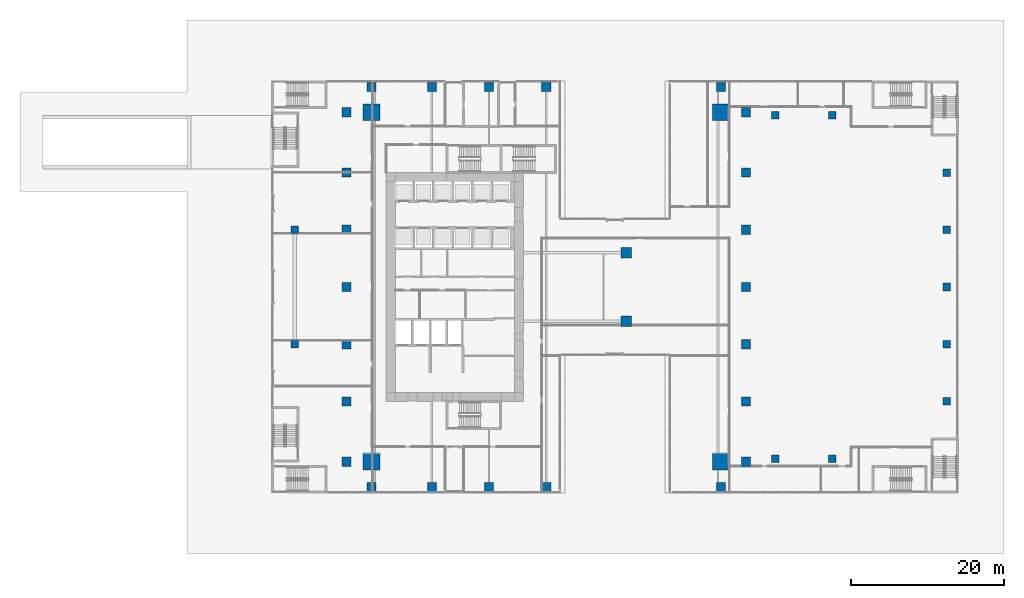
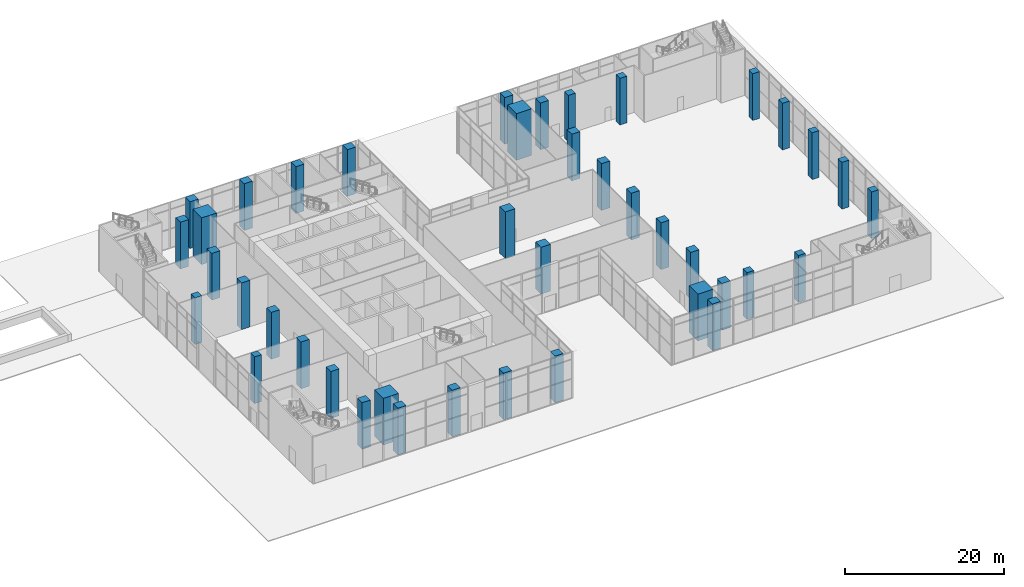
# One storey, part 1 of 52: 41 columns.
"""IFC4 building model written with IfcOpenShell, lengths in metres."""

from ifc_helpers import new_model, si_unit, direction, frame, origin, origin_2d, place, context, subcontext, project, spatial, rectangle, extrude, source, transform, mapped, material, material_profile, profile_set, type_object, element, save


model = new_model("IFC4")

# Units and contexts
model_context = context("Model", 3, precision=1e-05, world=origin(), true_north=direction((0.0, 1.0)))
body_context = subcontext(model_context, "Body", "Model", "MODEL_VIEW")
ifc_project = project(units=[si_unit("LENGTHUNIT", "METRE"), si_unit("AREAUNIT", "SQUARE_METRE"), si_unit("VOLUMEUNIT", "CUBIC_METRE"), si_unit("PLANEANGLEUNIT", "RADIAN"), si_unit("MASSUNIT", "GRAM", prefix="KILO")], contexts=[model_context])

# Site, building, storey
site_placement = place(None, origin())
site = spatial("IfcSite", under=ifc_project, at=site_placement, CompositionType="ELEMENT")
building_placement = place(site_placement, origin())
building = spatial("IfcBuilding", under=site, at=building_placement, Name="Khomas Fold Tower", CompositionType="ELEMENT")
storey_placement = place(building_placement, origin())
storey = spatial("IfcBuildingStorey", under=building, at=storey_placement, Name="L00", CompositionType="ELEMENT", Elevation=0.0)

# Columns
ifc_material_1 = material(Name="Concrete C70/85", Category="concrete")
ifc_material_profile_1 = material_profile(ifc_material_1, rectangle(XDim=2.199951171875, YDim=2.199951171875, at=origin_2d()), Name="RC 2200x2200")
ifc_profile_set_1 = profile_set([ifc_material_profile_1], Name="Concrete C70/85")
column_type_1 = type_object("IfcColumnType", Name="RC 2200x2200 column", PredefinedType="COLUMN", material=ifc_profile_set_1)
shared_shape_1 = source(origin(), body_context, "Body", "SweptSolid", [
    extrude(rectangle(XDim=2.199951171875, YDim=2.199951171875, at=origin_2d()), origin(), (0.0, 0.0, 1.0), 7.199951171875),
])
for number, where, z_axis, x_axis, name in (
    (1, (49.89990234375, 49.89990234375, 0.0), (0.0, 0.0, 1.0), (1.0, 0.0, 0.0), "CM-NE"),
    (2, (4.10009765625, 49.89990234375, 0.0), (0.0, 0.0, 1.0), (1.0, 0.0, 0.0), "CM-NW"),
    (3, (49.89990234375, 4.10009765625, 0.0), (0.0, 0.0, 1.0), (1.0, 0.0, 0.0), "CM-SE"),
    (4, (4.10009765625, 4.10009765625, 0.0), (0.0, 0.0, 1.0), (1.0, 0.0, 0.0), "CM-SW"),
):
    element("IfcColumn", number, at=place(storey_placement, frame(where, z_axis=z_axis, x_axis=x_axis)), inside=storey, type_object=column_type_1, Name=name, PredefinedType="COLUMN", context=body_context, shape_type="MappedRepresentation", body=[
        mapped(shared_shape_1, transform((0.0, 0.0, 0.0))),
    ])
ifc_material_2 = material(Name="Concrete C60/75", Category="concrete")
ifc_material_profile_2 = material_profile(ifc_material_2, rectangle(XDim=1.199951171875, YDim=1.199951171875, at=origin_2d()), Name="RC 1200x1200")
ifc_profile_set_2 = profile_set([ifc_material_profile_2], Name="Concrete C60/75")
column_type_2 = type_object("IfcColumnType", Name="RC 1200x1200 column", PredefinedType="COLUMN", material=ifc_profile_set_2)
shared_shape_2 = source(origin(), body_context, "Body", "SweptSolid", [
    extrude(rectangle(XDim=1.199951171875, YDim=1.199951171875, at=origin_2d()), origin(), (0.0, 0.0, 1.0), 7.199951171875),
])
for number, where, z_axis, x_axis, name in (
    (5, (4.10009765625, 0.800048828125, 0.0), (0.0, 0.0, 1.0), (1.0, 0.0, 0.0), "C-2-SF1"),
    (6, (12.0, 0.800048828125, 0.0), (0.0, 0.0, 1.0), (1.0, 0.0, 0.0), "C-6-SF1"),
    (7, (19.5, 0.800048828125, 0.0), (0.0, 0.0, 1.0), (1.0, 0.0, 0.0), "C-8-SF1"),
    (8, (27.0, 0.800048828125, 0.0), (0.0, 0.0, 1.0), (1.0, 0.0, 0.0), "C-9-SF1"),
    (9, (49.89990234375, 0.800048828125, 0.0), (0.0, 0.0, 1.0), (1.0, 0.0, 0.0), "C-17-SF1"),
    (10, (53.199951171875, 4.10009765625, 0.0), (0.0, 0.0, 1.0), (1.0, 0.0, 0.0), "C-E1-A"),
    (11, (53.199951171875, 12.0, 0.0), (0.0, 0.0, 1.0), (1.0, 0.0, 0.0), "C-E1-F"),
    (12, (53.199951171875, 19.5, 0.0), (0.0, 0.0, 1.0), (1.0, 0.0, 0.0), "C-E1-J"),
    (13, (53.199951171875, 27.0, 0.0), (0.0, 0.0, 1.0), (1.0, 0.0, 0.0), "C-E1-L"),
    (14, (53.199951171875, 34.5, 0.0), (0.0, 0.0, 1.0), (1.0, 0.0, 0.0), "C-E1-N"),
    (15, (53.199951171875, 42.0, 0.0), (0.0, 0.0, 1.0), (1.0, 0.0, 0.0), "C-E1-R"),
    (16, (53.199951171875, 49.89990234375, 0.0), (0.0, 0.0, 1.0), (1.0, 0.0, 0.0), "C-E1-W"),
    (17, (4.10009765625, 53.199951171875, 0.0), (0.0, 0.0, 1.0), (1.0, 0.0, 0.0), "C-2-NF1"),
    (18, (12.0, 53.199951171875, 0.0), (0.0, 0.0, 1.0), (1.0, 0.0, 0.0), "C-6-NF1"),
    (19, (19.5, 53.199951171875, 0.0), (0.0, 0.0, 1.0), (1.0, 0.0, 0.0), "C-8-NF1"),
    (20, (27.0, 53.199951171875, 0.0), (0.0, 0.0, 1.0), (1.0, 0.0, 0.0), "C-9-NF1"),
    (21, (49.89990234375, 53.199951171875, 0.0), (0.0, 0.0, 1.0), (1.0, 0.0, 0.0), "C-17-NF1"),
    (22, (0.800048828125, 4.10009765625, 0.0), (0.0, 0.0, 1.0), (1.0, 0.0, 0.0), "C-W1-A"),
    (23, (0.800048828125, 12.0, 0.0), (0.0, 0.0, 1.0), (1.0, 0.0, 0.0), "C-W1-F"),
    (24, (0.800048828125, 19.5, 0.0), (0.0, 0.0, 1.0), (1.0, 0.0, 0.0), "C-W1-J"),
    (25, (0.800048828125, 27.0, 0.0), (0.0, 0.0, 1.0), (1.0, 0.0, 0.0), "C-W1-L"),
    (26, (0.800048828125, 34.5, 0.0), (0.0, 0.0, 1.0), (1.0, 0.0, 0.0), "C-W1-N"),
    (27, (0.800048828125, 42.0, 0.0), (0.0, 0.0, 1.0), (1.0, 0.0, 0.0), "C-W1-R"),
    (28, (0.800048828125, 49.89990234375, 0.0), (0.0, 0.0, 1.0), (1.0, 0.0, 0.0), "C-W1-W"),
):
    element("IfcColumn", number, at=place(storey_placement, frame(where, z_axis=z_axis, x_axis=x_axis)), inside=storey, type_object=column_type_2, Name=name, PredefinedType="COLUMN", context=body_context, shape_type="MappedRepresentation", body=[
        mapped(shared_shape_2, transform((0.0, 0.0, 0.0))),
    ])
ifc_material_3 = material(Name="Concrete C60/75", Category="concrete")
ifc_material_profile_3 = material_profile(ifc_material_3, rectangle(XDim=1.39990234375, YDim=1.39990234375, at=origin_2d()), Name="RC 1400x1400")
ifc_profile_set_3 = profile_set([ifc_material_profile_3], Name="Concrete C60/75")
column_type_3 = type_object("IfcColumnType", Name="RC 1400x1400 column", PredefinedType="COLUMN", material=ifc_profile_set_3)
shared_shape_3 = source(origin(), body_context, "Body", "SweptSolid", [
    extrude(rectangle(XDim=1.39990234375, YDim=1.39990234375, at=origin_2d()), origin(), (0.0, 0.0, 1.0), 7.199951171875),
])
for number, where, z_axis, x_axis, name in (
    (29, (37.5, 22.5, 0.0), (0.0, 0.0, 1.0), (1.0, 0.0, 0.0), "C-11-K"),
    (30, (37.5, 31.5, 0.0), (0.0, 0.0, 1.0), (1.0, 0.0, 0.0), "C-11-M"),
):
    element("IfcColumn", number, at=place(storey_placement, frame(where, z_axis=z_axis, x_axis=x_axis)), inside=storey, type_object=column_type_3, Name=name, PredefinedType="COLUMN", context=body_context, shape_type="MappedRepresentation", body=[
        mapped(shared_shape_3, transform((0.0, 0.0, 0.0))),
    ])
ifc_material_4 = material(Name="Concrete C50/60", Category="concrete")
ifc_material_profile_4 = material_profile(ifc_material_4, rectangle(XDim=1.0, YDim=1.0, at=origin_2d()), Name="RC 1000x1000")
ifc_profile_set_4 = profile_set([ifc_material_profile_4], Name="Concrete C50/60")
column_type_4 = type_object("IfcColumnType", Name="RC 1000x1000 column", PredefinedType="COLUMN", material=ifc_profile_set_4)
shared_shape_4 = source(origin(), body_context, "Body", "SweptSolid", [
    extrude(rectangle(XDim=1.0, YDim=1.0, at=origin_2d()), origin(), (0.0, 0.0, 1.0), 7.199951171875),
])
for number, where, z_axis, x_axis, name in (
    (31, (-6.0, 19.5, 0.0), (0.0, 0.0, 1.0), (1.0, 0.0, 0.0), "C-1-J"),
    (32, (-6.0, 34.5, 0.0), (0.0, 0.0, 1.0), (1.0, 0.0, 0.0), "C-1-N"),
    (33, (57.0, 4.5, 0.0), (0.0, 0.0, 1.0), (1.0, 0.0, 0.0), "C-18-B"),
    (34, (57.0, 49.5, 0.0), (0.0, 0.0, 1.0), (1.0, 0.0, 0.0), "C-18-V"),
    (35, (64.5, 4.5, 0.0), (0.0, 0.0, 1.0), (1.0, 0.0, 0.0), "C-19-B"),
    (36, (64.5, 49.5, 0.0), (0.0, 0.0, 1.0), (1.0, 0.0, 0.0), "C-19-V"),
    (37, (79.5, 12.0, 0.0), (0.0, 0.0, 1.0), (1.0, 0.0, 0.0), "C-20-F"),
    (38, (79.5, 19.5, 0.0), (0.0, 0.0, 1.0), (1.0, 0.0, 0.0), "C-20-J"),
    (39, (79.5, 27.0, 0.0), (0.0, 0.0, 1.0), (1.0, 0.0, 0.0), "C-20-L"),
    (40, (79.5, 34.5, 0.0), (0.0, 0.0, 1.0), (1.0, 0.0, 0.0), "C-20-N"),
    (41, (79.5, 42.0, 0.0), (0.0, 0.0, 1.0), (1.0, 0.0, 0.0), "C-20-R"),
):
    element("IfcColumn", number, at=place(storey_placement, frame(where, z_axis=z_axis, x_axis=x_axis)), inside=storey, type_object=column_type_4, Name=name, PredefinedType="COLUMN", context=body_context, shape_type="MappedRepresentation", body=[
        mapped(shared_shape_4, transform((0.0, 0.0, 0.0))),
    ])

save(model, "model.ifc")
